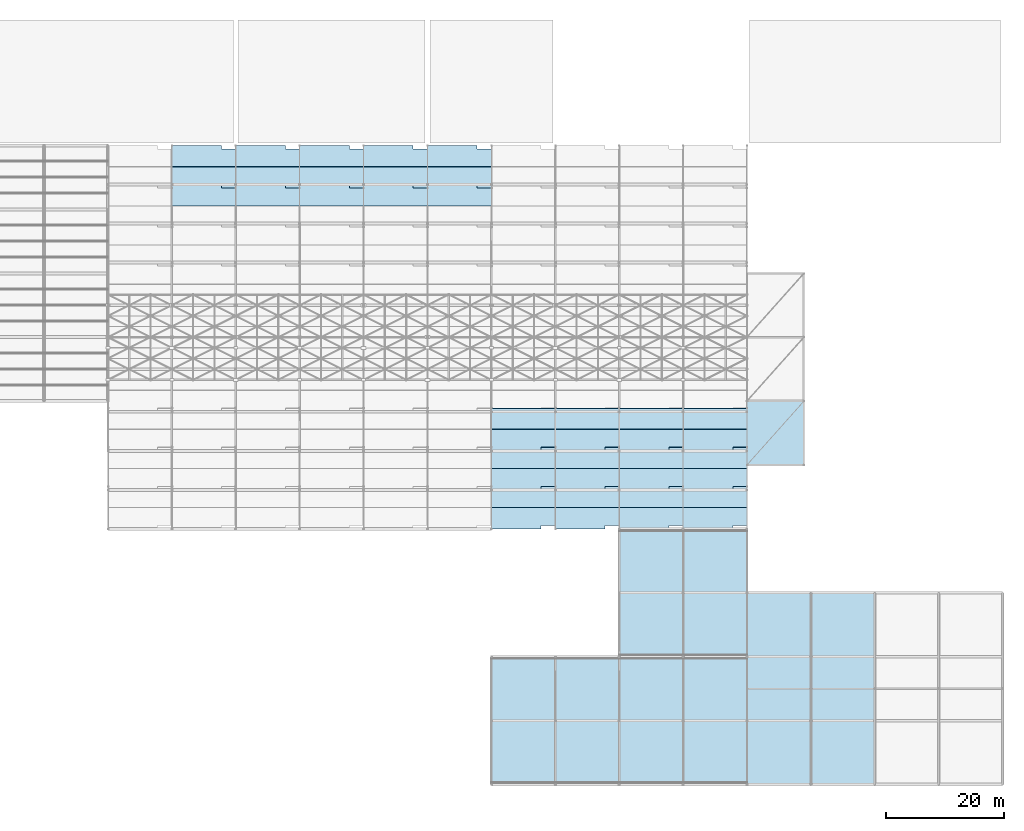
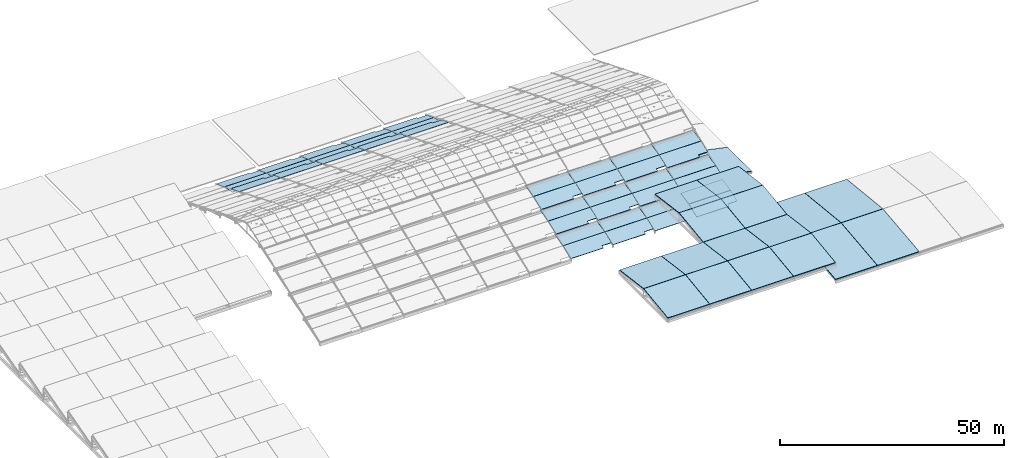
# One storey, part 101 of 112: 56 slabs, 5 elements without a shape of their own.
"""IFC4 building model written with IfcOpenShell, lengths in metres."""

from ifc_helpers import new_model, si_unit, direction, frame, origin, place, context, subcontext, project, spatial, polyline, outline, extrude, material, layer, layer_set, type_object, element, aggregate, save


model = new_model("IFC4")

# Units and contexts
model_context = context("Model", 3, precision=1e-05, world=origin(), true_north=direction((0.0, 1.0)))
body_context = subcontext(model_context, "Body", "Model", "MODEL_VIEW")
ifc_project = project(units=[si_unit("LENGTHUNIT", "METRE"), si_unit("AREAUNIT", "SQUARE_METRE"), si_unit("VOLUMEUNIT", "CUBIC_METRE"), si_unit("PLANEANGLEUNIT", "RADIAN"), si_unit("MASSUNIT", "GRAM", prefix="KILO")], contexts=[model_context])

# Site, building, storey
site_placement = place(None, origin())
site = spatial("IfcSite", under=ifc_project, at=site_placement, CompositionType="ELEMENT")
building_placement = place(site_placement, origin())
building = spatial("IfcBuilding", under=site, at=building_placement, Name="Zwinboog Wholesale Market", CompositionType="ELEMENT")
storey_placement = place(building_placement, frame((0.0, 0.0, 19.080078125)))
storey = spatial("IfcBuildingStorey", under=building, at=storey_placement, Name="Roof", CompositionType="ELEMENT", Elevation=19.080078125)

# Roof, slabs
ifc_material_1 = material(Name="Concrete C50/60", Category="concrete")
roof_type = type_object("IfcRoofType", Name="RFT-SHELL-BARREL", PredefinedType="BARREL_ROOF", material=ifc_material_1)
roof_1_placement = place(storey_placement, origin())
roof_1 = element("IfcRoof", 1, at=roof_1_placement, inside=storey, type_object=roof_type, Name="RF-SH (ROOF-BARREL-02)", PredefinedType="BARREL_ROOF")
ifc_layer_1 = layer(ifc_material_1, 0.159912109375)
ifc_layer_set_1 = layer_set([ifc_layer_1], Name="Concrete C50/60")
slab_type_1 = type_object("IfcSlabType", Name="SLT-SH-160", PredefinedType="ROOF", material=ifc_layer_set_1)
slab_1_placement = place(storey_placement, frame((75.610107421875, 104.409912109375, -8.135009765625), z_axis=(4.69326e-06, 0.351688567707, 0.936117060694), x_axis=(0.999999999989, -1.650566e-06, -4.393441e-06)))
slab_1 = element("IfcSlab", 2, at=slab_1_placement, type_object=slab_type_1, Name="SH-160 (SLB-SH-NT1-B02-1)", PredefinedType="ROOF", context=body_context, shape_type="SweptSolid", body=[
    extrude(outline(polyline([(0.0, 0.0), (10.779785156131279, 0.0), (10.77978515650044, 3.183371243768934), (8.37988281277687, 3.183371243768934), (8.379882812301986, 3.824383031661528), (-1.0572380666834866e-10, 3.824383031661528), (0.0, 0.0)])), origin(), (0.0, 0.0, -1.0), 0.159912109375),
])
slab_2_placement = place(storey_placement, frame((75.610107421875, 100.81005859375, -7.330078125), z_axis=(0.0, 0.219374447053, 0.975640739197), x_axis=(1.0, 0.0, 0.0)))
slab_2 = element("IfcSlab", 3, at=slab_2_placement, type_object=slab_type_1, Name="SH-160 (SLB-SH-NT1-B02-2)", PredefinedType="ROOF", context=body_context, shape_type="SweptSolid", body=[
    extrude(outline(polyline([(0.0, 0.0), (10.77978515625, 0.0), (10.77978515625, 3.6692133082944967), (0.0, 3.6692133082944967), (0.0, 0.0)])), origin(), (0.0, 0.0, -1.0), 0.159912109375),
])

roof_2_placement = place(storey_placement, origin())
roof_2 = element("IfcRoof", 4, at=roof_2_placement, inside=storey, type_object=roof_type, Name="RF-SH (ROOF-BARREL-03)", PredefinedType="BARREL_ROOF")
slab_3_placement = place(storey_placement, frame((86.409912109375, 104.409912109375, -8.135009765625), z_axis=(4.69315e-06, 0.351688567577, 0.936117060743), x_axis=(0.999999999989, -1.650527e-06, -4.393337e-06)))
slab_3 = element("IfcSlab", 5, at=slab_3_placement, type_object=slab_type_1, Name="SH-160 (SLB-SH-NT1-B03-1)", PredefinedType="ROOF", context=body_context, shape_type="SweptSolid", body=[
    extrude(outline(polyline([(0.0, 0.0), (10.78002929675628, 2.2827599967049336e-21), (10.780029297125436, 3.183371243768923), (8.380126953401867, 3.183371243768923), (8.380126952926993, 3.824383031661531), (-1.0571883235301646e-10, 3.824383031661531), (0.0, 0.0)])), origin(), (0.0, 0.0, -1.0), 0.159912109375),
])
slab_4_placement = place(storey_placement, frame((86.409912109375, 100.81005859375, -7.330078125), z_axis=(0.0, 0.219374447053, 0.975640739197), x_axis=(1.0, 0.0, 0.0)))
slab_4 = element("IfcSlab", 6, at=slab_4_placement, type_object=slab_type_1, Name="SH-160 (SLB-SH-NT1-B03-2)", PredefinedType="ROOF", context=body_context, shape_type="SweptSolid", body=[
    extrude(outline(polyline([(0.0, 0.0), (10.780029296875, 0.0), (10.780029296875, 3.6692133082944967), (0.0, 3.6692133082944967), (0.0, 0.0)])), origin(), (0.0, 0.0, -1.0), 0.159912109375),
])

roof_3_placement = place(storey_placement, origin())
roof_3 = element("IfcRoof", 7, at=roof_3_placement, inside=storey, type_object=roof_type, Name="RF-SH (ROOF-BARREL-04)", PredefinedType="BARREL_ROOF")
slab_5_placement = place(storey_placement, frame((97.2099609375, 104.409912109375, -8.135009765625), z_axis=(4.69315e-06, 0.351688567577, 0.936117060743), x_axis=(0.999999999989, -1.650527e-06, -4.393337e-06)))
slab_5 = element("IfcSlab", 8, at=slab_5_placement, type_object=slab_type_1, Name="SH-160 (SLB-SH-NT1-B04-1)", PredefinedType="ROOF", context=body_context, shape_type="SweptSolid", body=[
    extrude(outline(polyline([(0.0, 0.0), (10.78002929675628, 2.2827599967049336e-21), (10.780029297125436, 3.183371243768923), (8.380126953401867, 3.183371243768923), (8.380126952926993, 3.824383031661531), (-1.0571883235301646e-10, 3.824383031661531), (0.0, 0.0)])), origin(), (0.0, 0.0, -1.0), 0.159912109375),
])
slab_6_placement = place(storey_placement, frame((97.2099609375, 100.81005859375, -7.330078125), z_axis=(0.0, 0.219374447053, 0.975640739197), x_axis=(1.0, 0.0, 0.0)))
slab_6 = element("IfcSlab", 9, at=slab_6_placement, type_object=slab_type_1, Name="SH-160 (SLB-SH-NT1-B04-2)", PredefinedType="ROOF", context=body_context, shape_type="SweptSolid", body=[
    extrude(outline(polyline([(0.0, 0.0), (10.780029296875, 0.0), (10.780029296875, 3.6692133082944967), (0.0, 3.6692133082944967), (0.0, 0.0)])), origin(), (0.0, 0.0, -1.0), 0.159912109375),
])

roof_4_placement = place(storey_placement, origin())
roof_4 = element("IfcRoof", 10, at=roof_4_placement, inside=storey, type_object=roof_type, Name="RF-SH (ROOF-BARREL-05)", PredefinedType="BARREL_ROOF")
slab_7_placement = place(storey_placement, frame((108.010009765625, 104.409912109375, -8.135009765625), z_axis=(4.693168e-06, 0.35168856816, 0.936117060524), x_axis=(0.999999999989, -1.650534e-06, -4.393355e-06)))
slab_7 = element("IfcSlab", 11, at=slab_7_placement, type_object=slab_type_1, Name="SH-160 (SLB-SH-NT1-B05-1)", PredefinedType="ROOF", context=body_context, shape_type="SweptSolid", body=[
    extrude(outline(polyline([(0.0, 0.0), (10.78002929675628, 2.2827599967049336e-21), (10.780029297125427, 3.1833712437689723), (8.37988281277686, 3.1833712437689723), (8.379882812301984, 3.8243830316615175), (-1.0573042088097136e-10, 3.8243830316615175), (0.0, 0.0)])), origin(), (0.0, 0.0, -1.0), 0.159912109375),
])
slab_8_placement = place(storey_placement, frame((108.010009765625, 100.81005859375, -7.330078125), z_axis=(0.0, 0.219374447053, 0.975640739197), x_axis=(1.0, 0.0, 0.0)))
slab_8 = element("IfcSlab", 12, at=slab_8_placement, type_object=slab_type_1, Name="SH-160 (SLB-SH-NT1-B05-2)", PredefinedType="ROOF", context=body_context, shape_type="SweptSolid", body=[
    extrude(outline(polyline([(0.0, 0.0), (10.780029296875, 0.0), (10.780029296875, 3.6692133082944967), (0.0, 3.6692133082944967), (0.0, 0.0)])), origin(), (0.0, 0.0, -1.0), 0.159912109375),
])

roof_5_placement = place(storey_placement, origin())
roof_5 = element("IfcRoof", 13, at=roof_5_placement, inside=storey, type_object=roof_type, Name="RF-SH (ROOF-BARREL-01)", PredefinedType="BARREL_ROOF")
slab_9_placement = place(storey_placement, frame((118.81005859375, 104.409912109375, -8.135009765625), z_axis=(4.693168e-06, 0.35168856816, 0.936117060524), x_axis=(0.999999999989, -1.650534e-06, -4.393355e-06)))
slab_9 = element("IfcSlab", 14, at=slab_9_placement, type_object=slab_type_1, Name="SH-160 (SLB-SH-NT1-B06-1)", PredefinedType="ROOF", context=body_context, shape_type="SweptSolid", body=[
    extrude(outline(polyline([(0.0, 0.0), (10.78002929675628, 2.2827599967049336e-21), (10.780029297125427, 3.1833712437689723), (8.37988281277686, 3.1833712437689723), (8.379882812301984, 3.8243830316615175), (-1.0573042088097136e-10, 3.8243830316615175), (0.0, 0.0)])), origin(), (0.0, 0.0, -1.0), 0.159912109375),
])
slab_10_placement = place(storey_placement, frame((118.81005859375, 100.81005859375, -7.330078125), z_axis=(0.0, 0.219374447053, 0.975640739197), x_axis=(1.0, 0.0, 0.0)))
slab_10 = element("IfcSlab", 15, at=slab_10_placement, type_object=slab_type_1, Name="SH-160 (SLB-SH-NT1-B06-2)", PredefinedType="ROOF", context=body_context, shape_type="SweptSolid", body=[
    extrude(outline(polyline([(0.0, 0.0), (10.780029296875, 0.0), (10.780029296875, 3.6692133082944967), (0.0, 3.6692133082944967), (0.0, 0.0)])), origin(), (0.0, 0.0, -1.0), 0.159912109375),
])

# Slab
slab_11_placement = place(storey_placement, frame((129.610107421875, 43.2099609375, -9.47998046875), z_axis=(4.69326e-06, -0.351688567707, 0.936117060694), x_axis=(0.999999999989, 1.650566e-06, -4.393441e-06)))
slab_11 = element("IfcSlab", 16, at=slab_11_placement, type_object=slab_type_1, Name="SH-160 (SLB-SH-ST1-B07-1)", PredefinedType="ROOF", context=body_context, shape_type="SweptSolid", body=[
    extrude(outline(polyline([(0.0, 0.0), (8.37988281240771, 0.0), (8.379882812882595, 0.6410117878925938), (10.779785156606165, 0.6410117878925938), (10.779785156237002, 3.824383031661528), (1.0572380666834866e-10, 3.824383031661528), (0.0, 0.0)])), origin(), (0.0, 0.0, -1.0), 0.159912109375),
])

slab_12_placement = place(storey_placement, frame((129.610107421875, 46.81005859375, -8.135009765625), z_axis=(0.0, -0.219374447053, 0.975640739197), x_axis=(1.0, 0.0, 0.0)))
slab_12 = element("IfcSlab", 17, at=slab_12_placement, type_object=slab_type_1, Name="SH-160 (SLB-SH-ST1-B07-2)", PredefinedType="ROOF", context=body_context, shape_type="SweptSolid", body=[
    extrude(outline(polyline([(0.0, 0.0), (10.77978515625, 0.0), (10.77978515625, 3.6692133082944967), (0.0, 3.6692133082944967), (0.0, 0.0)])), origin(), (0.0, 0.0, -1.0), 0.159912109375),
])

slab_13_placement = place(storey_placement, frame((140.409912109375, 43.2099609375, -9.47998046875), z_axis=(4.69315e-06, -0.351688567577, 0.936117060743), x_axis=(0.999999999989, 1.650527e-06, -4.393337e-06)))
slab_13 = element("IfcSlab", 18, at=slab_13_placement, type_object=slab_type_1, Name="SH-160 (SLB-SH-ST1-B08-1)", PredefinedType="ROOF", context=body_context, shape_type="SweptSolid", body=[
    extrude(outline(polyline([(0.0, 0.0), (8.380126953032711, -1.774560907867667e-21), (8.380126953507585, 0.6410117878926078), (10.780029297231154, 0.6410117878926078), (10.780029296861999, 3.824383031661531), (1.0571883235301646e-10, 3.824383031661531), (0.0, 0.0)])), origin(), (0.0, 0.0, -1.0), 0.159912109375),
])

slab_14_placement = place(storey_placement, frame((140.409912109375, 46.81005859375, -8.135009765625), z_axis=(0.0, -0.219374447053, 0.975640739197), x_axis=(1.0, 0.0, 0.0)))
slab_14 = element("IfcSlab", 19, at=slab_14_placement, type_object=slab_type_1, Name="SH-160 (SLB-SH-ST1-B08-2)", PredefinedType="ROOF", context=body_context, shape_type="SweptSolid", body=[
    extrude(outline(polyline([(0.0, 0.0), (10.780029296875, 0.0), (10.780029296875, 3.6692133082944967), (0.0, 3.6692133082944967), (0.0, 0.0)])), origin(), (0.0, 0.0, -1.0), 0.159912109375),
])

slab_15_placement = place(storey_placement, frame((151.2099609375, 43.2099609375, -9.47998046875), z_axis=(4.69315e-06, -0.351688567577, 0.936117060743), x_axis=(0.999999999989, 1.650527e-06, -4.393337e-06)))
slab_15 = element("IfcSlab", 20, at=slab_15_placement, type_object=slab_type_1, Name="SH-160 (SLB-SH-ST1-B09-1)", PredefinedType="ROOF", context=body_context, shape_type="SweptSolid", body=[
    extrude(outline(polyline([(0.0, 0.0), (8.380126953032711, -1.774560907867667e-21), (8.380126953507585, 0.6410117878926078), (10.780029297231154, 0.6410117878926078), (10.780029296861999, 3.824383031661531), (1.0571883235301646e-10, 3.824383031661531), (0.0, 0.0)])), origin(), (0.0, 0.0, -1.0), 0.159912109375),
])

slab_16_placement = place(storey_placement, frame((151.2099609375, 46.81005859375, -8.135009765625), z_axis=(0.0, -0.219374447053, 0.975640739197), x_axis=(1.0, 0.0, 0.0)))
slab_16 = element("IfcSlab", 21, at=slab_16_placement, type_object=slab_type_1, Name="SH-160 (SLB-SH-ST1-B09-2)", PredefinedType="ROOF", context=body_context, shape_type="SweptSolid", body=[
    extrude(outline(polyline([(0.0, 0.0), (10.780029296875, 0.0), (10.780029296875, 3.6692133082944967), (0.0, 3.6692133082944967), (0.0, 0.0)])), origin(), (0.0, 0.0, -1.0), 0.159912109375),
])

slab_17_placement = place(storey_placement, frame((162.010009765625, 43.2099609375, -9.47998046875), z_axis=(4.693168e-06, -0.35168856816, 0.936117060524), x_axis=(0.999999999989, 1.650534e-06, -4.393355e-06)))
slab_17 = element("IfcSlab", 22, at=slab_17_placement, type_object=slab_type_1, Name="SH-160 (SLB-SH-ST1-B10-1)", PredefinedType="ROOF", context=body_context, shape_type="SweptSolid", body=[
    extrude(outline(polyline([(0.0, 0.0), (8.379882812407713, -1.7745092090793826e-21), (8.379882812882592, 0.641011787892545), (10.78002929723116, 0.641011787892545), (10.78002929686201, 3.8243830316615175), (1.0573042088097136e-10, 3.8243830316615175), (0.0, 0.0)])), origin(), (0.0, 0.0, -1.0), 0.159912109375),
])

slab_18_placement = place(storey_placement, frame((162.010009765625, 46.81005859375, -8.135009765625), z_axis=(0.0, -0.219374447053, 0.975640739197), x_axis=(1.0, 0.0, 0.0)))
slab_18 = element("IfcSlab", 23, at=slab_18_placement, type_object=slab_type_1, Name="SH-160 (SLB-SH-ST1-B10-2)", PredefinedType="ROOF", context=body_context, shape_type="SweptSolid", body=[
    extrude(outline(polyline([(0.0, 0.0), (10.780029296875, 0.0), (10.780029296875, 3.6692133082944967), (0.0, 3.6692133082944967), (0.0, 0.0)])), origin(), (0.0, 0.0, -1.0), 0.159912109375),
])

ifc_layer_2 = layer(ifc_material_1, 0.172119140625)
ifc_layer_set_2 = layer_set([ifc_layer_2], Name="Concrete C50/60")
slab_type_2 = type_object("IfcSlabType", Name="SLT-SH-172", PredefinedType="ROOF", material=ifc_layer_set_2)
slab_19_placement = place(storey_placement, frame((75.610107421875, 97.81005859375, -5.43505859375), z_axis=(1.249594e-06, 0.351705539607, 0.936110684379), x_axis=(0.999999999999, -4.39489e-07, -1.169758e-06)))
slab_19 = element("IfcSlab", 24, at=slab_19_placement, type_object=slab_type_2, Name="SH-172 (SLB-SH-NT2-B02-1)", PredefinedType="ROOF", context=body_context, shape_type="SweptSolid", body=[
    extrude(outline(polyline([(0.0, 0.0), (10.779785156241584, 0.0), (10.779785156267753, 3.1833712446718234), (8.379882812519627, 3.1833712446718234), (8.379882812485963, 3.824154487977018), (-7.494821892877005e-12, 3.824154487977018), (0.0, 0.0)])), origin(), (0.0, 0.0, -1.0), 0.172119140625),
])

slab_20_placement = place(storey_placement, frame((86.409912109375, 97.81005859375, -5.43505859375), z_axis=(1.249564e-06, 0.351705539572, 0.936110684392), x_axis=(0.999999999999, -4.39479e-07, -1.169731e-06)))
slab_20 = element("IfcSlab", 25, at=slab_20_placement, type_object=slab_type_2, Name="SH-172 (SLB-SH-NT2-B03-1)", PredefinedType="ROOF", context=body_context, shape_type="SweptSolid", body=[
    extrude(outline(polyline([(0.0, 0.0), (10.780029296866584, -5.706899991762334e-22), (10.780029296892753, 3.183371244671823), (8.380126953144627, 3.183371244671823), (8.380126953110963, 3.824154487977019), (-7.494469264378976e-12, 3.824154487977019), (0.0, 0.0)])), origin(), (0.0, 0.0, -1.0), 0.172119140625),
])

slab_21_placement = place(storey_placement, frame((97.2099609375, 97.81005859375, -5.43505859375), z_axis=(1.249564e-06, 0.351705539572, 0.936110684392), x_axis=(0.999999999999, -4.39479e-07, -1.169731e-06)))
slab_21 = element("IfcSlab", 26, at=slab_21_placement, type_object=slab_type_2, Name="SH-172 (SLB-SH-NT2-B04-1)", PredefinedType="ROOF", context=body_context, shape_type="SweptSolid", body=[
    extrude(outline(polyline([(0.0, 0.0), (10.780029296866584, -5.706899991762334e-22), (10.780029296892753, 3.183371244671823), (8.380126953144627, 3.183371244671823), (8.380126953110963, 3.824154487977019), (-7.494469264378976e-12, 3.824154487977019), (0.0, 0.0)])), origin(), (0.0, 0.0, -1.0), 0.172119140625),
])

slab_22_placement = place(storey_placement, frame((108.010009765625, 97.81005859375, -5.43505859375), z_axis=(1.249569e-06, 0.351705539728, 0.936110684334), x_axis=(0.999999999999, -4.3948e-07, -1.169735e-06)))
slab_22 = element("IfcSlab", 27, at=slab_22_placement, type_object=slab_type_2, Name="SH-172 (SLB-SH-NT2-B05-1)", PredefinedType="ROOF", context=body_context, shape_type="SweptSolid", body=[
    extrude(outline(polyline([(0.0, 0.0), (10.780029296866584, 0.0), (10.780029296892753, 3.183371244671827), (8.379882812519627, 3.183371244671827), (8.379882812485961, 3.824154487977018), (-7.495290763518035e-12, 3.824154487977018), (0.0, 0.0)])), origin(), (0.0, 0.0, -1.0), 0.172119140625),
])

slab_23_placement = place(storey_placement, frame((118.81005859375, 97.81005859375, -5.43505859375), z_axis=(1.249569e-06, 0.351705539728, 0.936110684334), x_axis=(0.999999999999, -4.3948e-07, -1.169735e-06)))
slab_23 = element("IfcSlab", 28, at=slab_23_placement, type_object=slab_type_2, Name="SH-172 (SLB-SH-NT2-B06-1)", PredefinedType="ROOF", context=body_context, shape_type="SweptSolid", body=[
    extrude(outline(polyline([(0.0, 0.0), (10.780029296866584, 0.0), (10.780029296892753, 3.183371244671827), (8.379882812519627, 3.183371244671827), (8.379882812485961, 3.824154487977018), (-7.495290763518035e-12, 3.824154487977018), (0.0, 0.0)])), origin(), (0.0, 0.0, -1.0), 0.172119140625),
])

aggregate(roof_5, [slab_9, slab_10, slab_23])

slab_24_placement = place(storey_placement, frame((129.610107421875, 49.81005859375, -6.780029296875), z_axis=(1.249594e-06, -0.351705539607, 0.936110684379), x_axis=(0.999999999999, 4.39489e-07, -1.169758e-06)))
slab_24 = element("IfcSlab", 29, at=slab_24_placement, type_object=slab_type_2, Name="SH-172 (SLB-SH-ST2-B07-1)", PredefinedType="ROOF", context=body_context, shape_type="SweptSolid", body=[
    extrude(outline(polyline([(0.0, 0.0), (8.379882812493458, 0.0), (8.379882812527123, 0.6407832433051945), (10.77978515627525, 0.6407832433051945), (10.779785156249078, 3.824154487977018), (7.494821892877005e-12, 3.824154487977018), (0.0, 0.0)])), origin(), (0.0, 0.0, -1.0), 0.172119140625),
])

slab_25_placement = place(storey_placement, frame((129.610107421875, 53.409912109375, -5.43505859375), z_axis=(0.0, -0.219360206869, 0.975643941017), x_axis=(1.0, 0.0, 0.0)))
slab_25 = element("IfcSlab", 30, at=slab_25_placement, type_object=slab_type_2, Name="SH-172 (SLB-SH-ST2-B07-2)", PredefinedType="ROOF", context=body_context, shape_type="SweptSolid", body=[
    extrude(outline(polyline([(0.0, 0.0), (10.77978515625, 0.0), (10.77978515625, 3.669451502225199), (0.0, 3.669451502225199), (0.0, 0.0)])), origin(), (0.0, 0.0, -1.0), 0.172119140625),
])

slab_26_placement = place(storey_placement, frame((140.409912109375, 49.81005859375, -6.780029296875), z_axis=(1.249564e-06, -0.351705539572, 0.936110684392), x_axis=(0.999999999999, 4.39479e-07, -1.169731e-06)))
slab_26 = element("IfcSlab", 31, at=slab_26_placement, type_object=slab_type_2, Name="SH-172 (SLB-SH-ST2-B08-1)", PredefinedType="ROOF", context=body_context, shape_type="SweptSolid", body=[
    extrude(outline(polyline([(0.0, 0.0), (8.380126953118458, 4.436402269669168e-22), (8.380126953152123, 0.6407832433051956), (10.78002929690025, 0.6407832433051956), (10.780029296874078, 3.824154487977019), (7.494469264378976e-12, 3.824154487977019), (0.0, 0.0)])), origin(), (0.0, 0.0, -1.0), 0.172119140625),
])

slab_27_placement = place(storey_placement, frame((140.409912109375, 53.409912109375, -5.43505859375), z_axis=(0.0, -0.219360206869, 0.975643941017), x_axis=(1.0, 0.0, 0.0)))
slab_27 = element("IfcSlab", 32, at=slab_27_placement, type_object=slab_type_2, Name="SH-172 (SLB-SH-ST2-B08-2)", PredefinedType="ROOF", context=body_context, shape_type="SweptSolid", body=[
    extrude(outline(polyline([(0.0, 0.0), (10.780029296875, 0.0), (10.780029296875, 3.669451502225199), (0.0, 3.669451502225199), (0.0, 0.0)])), origin(), (0.0, 0.0, -1.0), 0.172119140625),
])

slab_28_placement = place(storey_placement, frame((151.2099609375, 49.81005859375, -6.780029296875), z_axis=(1.249564e-06, -0.351705539572, 0.936110684392), x_axis=(0.999999999999, 4.39479e-07, -1.169731e-06)))
slab_28 = element("IfcSlab", 33, at=slab_28_placement, type_object=slab_type_2, Name="SH-172 (SLB-SH-ST2-B09-1)", PredefinedType="ROOF", context=body_context, shape_type="SweptSolid", body=[
    extrude(outline(polyline([(0.0, 0.0), (8.380126953118458, 4.436402269669168e-22), (8.380126953152123, 0.6407832433051956), (10.78002929690025, 0.6407832433051956), (10.780029296874078, 3.824154487977019), (7.494469264378976e-12, 3.824154487977019), (0.0, 0.0)])), origin(), (0.0, 0.0, -1.0), 0.172119140625),
])

slab_29_placement = place(storey_placement, frame((151.2099609375, 53.409912109375, -5.43505859375), z_axis=(0.0, -0.219360206869, 0.975643941017), x_axis=(1.0, 0.0, 0.0)))
slab_29 = element("IfcSlab", 34, at=slab_29_placement, type_object=slab_type_2, Name="SH-172 (SLB-SH-ST2-B09-2)", PredefinedType="ROOF", context=body_context, shape_type="SweptSolid", body=[
    extrude(outline(polyline([(0.0, 0.0), (10.780029296875, 0.0), (10.780029296875, 3.669451502225199), (0.0, 3.669451502225199), (0.0, 0.0)])), origin(), (0.0, 0.0, -1.0), 0.172119140625),
])

slab_30_placement = place(storey_placement, frame((162.010009765625, 49.81005859375, -6.780029296875), z_axis=(1.249569e-06, -0.351705539728, 0.936110684334), x_axis=(0.999999999999, 4.3948e-07, -1.169735e-06)))
slab_30 = element("IfcSlab", 35, at=slab_30_placement, type_object=slab_type_2, Name="SH-172 (SLB-SH-ST2-B10-1)", PredefinedType="ROOF", context=body_context, shape_type="SweptSolid", body=[
    extrude(outline(polyline([(0.0, 0.0), (8.379882812493458, 0.0), (8.379882812527123, 0.6407832433051913), (10.78002929690025, 0.6407832433051913), (10.78002929687408, 3.824154487977018), (7.495290763518035e-12, 3.824154487977018), (0.0, 0.0)])), origin(), (0.0, 0.0, -1.0), 0.172119140625),
])

slab_31_placement = place(storey_placement, frame((162.010009765625, 53.409912109375, -5.43505859375), z_axis=(0.0, -0.219360206869, 0.975643941017), x_axis=(1.0, 0.0, 0.0)))
slab_31 = element("IfcSlab", 36, at=slab_31_placement, type_object=slab_type_2, Name="SH-172 (SLB-SH-ST2-B10-2)", PredefinedType="ROOF", context=body_context, shape_type="SweptSolid", body=[
    extrude(outline(polyline([(0.0, 0.0), (10.780029296875, 0.0), (10.780029296875, 3.669451502225199), (0.0, 3.669451502225199), (0.0, 0.0)])), origin(), (0.0, 0.0, -1.0), 0.172119140625),
])

slab_32_placement = place(storey_placement, frame((172.800048828125, 54.02001953125, -8.68017578125), z_axis=(0.203957236795, 0.0, 0.978979798341), x_axis=(0.978979798341, 0.0, -0.203957236795)))
element("IfcSlab", 37, at=slab_32_placement, inside=storey, type_object=slab_type_2, Name="SH-172 (SLB-CAN-01)", PredefinedType="ROOF", context=body_context, shape_type="SweptSolid", body=[
    extrude(outline(polyline([(0.0, 0.0), (9.8059771324156, 0.0), (9.8059771324156, 10.760009765625), (0.0, 10.760009765625), (0.0, 0.0)])), origin(), (0.0, 0.0, -1.0), 0.179931640625),
])

ifc_layer_3 = layer(ifc_material_1, 0.18603515625)
ifc_layer_set_3 = layer_set([ifc_layer_3], Name="Concrete C50/60")
slab_type_3 = type_object("IfcSlabType", Name="SLT-SH-186", PredefinedType="ROOF", material=ifc_layer_set_3)
slab_33_placement = place(storey_placement, frame((129.610107421875, 56.409912109375, -4.080078125), z_axis=(4.69326e-06, -0.351688567707, 0.936117060694), x_axis=(0.999999999989, 1.650566e-06, -4.393441e-06)))
slab_33 = element("IfcSlab", 38, at=slab_33_placement, type_object=slab_type_3, Name="SH-186 (SLB-SH-ST3-B07-1)", PredefinedType="ROOF", context=body_context, shape_type="SweptSolid", body=[
    extrude(outline(polyline([(0.0, 0.0), (8.37988281240771, 0.0), (8.379882812882595, 0.6410117878925938), (10.779785156606165, 0.6410117878925938), (10.779785156237002, 3.824383031661528), (1.0572380666834866e-10, 3.824383031661528), (0.0, 0.0)])), origin(), (0.0, 0.0, -1.0), 0.18603515625),
])

slab_34_placement = place(storey_placement, frame((129.610107421875, 60.010009765625, -2.735107421875), z_axis=(0.0, -0.219360206869, 0.975643941017), x_axis=(1.0, 0.0, 0.0)))
slab_34 = element("IfcSlab", 39, at=slab_34_placement, type_object=slab_type_3, Name="SH-186 (SLB-SH-ST3-B07-2)", PredefinedType="ROOF", context=body_context, shape_type="SweptSolid", body=[
    extrude(outline(polyline([(0.0, 0.0), (10.77978515625, 0.0), (10.77978515625, 3.669451502225199), (0.0, 3.669451502225199), (0.0, 0.0)])), origin(), (0.0, 0.0, -1.0), 0.18603515625),
])

aggregate(roof_1, [slab_1, slab_2, slab_19, slab_11, slab_12, slab_24, slab_25, slab_33, slab_34])

slab_35_placement = place(storey_placement, frame((140.409912109375, 56.409912109375, -4.080078125), z_axis=(4.69315e-06, -0.351688567577, 0.936117060743), x_axis=(0.999999999989, 1.650527e-06, -4.393337e-06)))
slab_35 = element("IfcSlab", 40, at=slab_35_placement, type_object=slab_type_3, Name="SH-186 (SLB-SH-ST3-B08-1)", PredefinedType="ROOF", context=body_context, shape_type="SweptSolid", body=[
    extrude(outline(polyline([(0.0, 0.0), (8.380126953032711, -1.774560907867667e-21), (8.380126953507585, 0.6410117878926078), (10.780029297231154, 0.6410117878926078), (10.780029296861999, 3.824383031661531), (1.0571883235301646e-10, 3.824383031661531), (0.0, 0.0)])), origin(), (0.0, 0.0, -1.0), 0.18603515625),
])

slab_36_placement = place(storey_placement, frame((140.409912109375, 60.010009765625, -2.735107421875), z_axis=(0.0, -0.219360206869, 0.975643941017), x_axis=(1.0, 0.0, 0.0)))
slab_36 = element("IfcSlab", 41, at=slab_36_placement, type_object=slab_type_3, Name="SH-186 (SLB-SH-ST3-B08-2)", PredefinedType="ROOF", context=body_context, shape_type="SweptSolid", body=[
    extrude(outline(polyline([(0.0, 0.0), (10.780029296875, 0.0), (10.780029296875, 3.669451502225199), (0.0, 3.669451502225199), (0.0, 0.0)])), origin(), (0.0, 0.0, -1.0), 0.18603515625),
])

aggregate(roof_2, [slab_3, slab_4, slab_20, slab_13, slab_14, slab_26, slab_27, slab_35, slab_36])

slab_37_placement = place(storey_placement, frame((151.2099609375, 56.409912109375, -4.080078125), z_axis=(4.69315e-06, -0.351688567577, 0.936117060743), x_axis=(0.999999999989, 1.650527e-06, -4.393337e-06)))
slab_37 = element("IfcSlab", 42, at=slab_37_placement, type_object=slab_type_3, Name="SH-186 (SLB-SH-ST3-B09-1)", PredefinedType="ROOF", context=body_context, shape_type="SweptSolid", body=[
    extrude(outline(polyline([(0.0, 0.0), (8.380126953032711, -1.774560907867667e-21), (8.380126953507585, 0.6410117878926078), (10.780029297231154, 0.6410117878926078), (10.780029296861999, 3.824383031661531), (1.0571883235301646e-10, 3.824383031661531), (0.0, 0.0)])), origin(), (0.0, 0.0, -1.0), 0.18603515625),
])

slab_38_placement = place(storey_placement, frame((151.2099609375, 60.010009765625, -2.735107421875), z_axis=(0.0, -0.219360206869, 0.975643941017), x_axis=(1.0, 0.0, 0.0)))
slab_38 = element("IfcSlab", 43, at=slab_38_placement, type_object=slab_type_3, Name="SH-186 (SLB-SH-ST3-B09-2)", PredefinedType="ROOF", context=body_context, shape_type="SweptSolid", body=[
    extrude(outline(polyline([(0.0, 0.0), (10.780029296875, 0.0), (10.780029296875, 3.669451502225199), (0.0, 3.669451502225199), (0.0, 0.0)])), origin(), (0.0, 0.0, -1.0), 0.18603515625),
])

aggregate(roof_3, [slab_5, slab_6, slab_21, slab_15, slab_16, slab_28, slab_29, slab_37, slab_38])

slab_39_placement = place(storey_placement, frame((162.010009765625, 56.409912109375, -4.080078125), z_axis=(4.693168e-06, -0.35168856816, 0.936117060524), x_axis=(0.999999999989, 1.650534e-06, -4.393355e-06)))
slab_39 = element("IfcSlab", 44, at=slab_39_placement, type_object=slab_type_3, Name="SH-186 (SLB-SH-ST3-B10-1)", PredefinedType="ROOF", context=body_context, shape_type="SweptSolid", body=[
    extrude(outline(polyline([(0.0, 0.0), (8.379882812407713, -1.7745092090793826e-21), (8.379882812882592, 0.641011787892545), (10.78002929723116, 0.641011787892545), (10.78002929686201, 3.8243830316615175), (1.0573042088097136e-10, 3.8243830316615175), (0.0, 0.0)])), origin(), (0.0, 0.0, -1.0), 0.18603515625),
])

slab_40_placement = place(storey_placement, frame((162.010009765625, 60.010009765625, -2.735107421875), z_axis=(0.0, -0.219360206869, 0.975643941017), x_axis=(1.0, 0.0, 0.0)))
slab_40 = element("IfcSlab", 45, at=slab_40_placement, type_object=slab_type_3, Name="SH-186 (SLB-SH-ST3-B10-2)", PredefinedType="ROOF", context=body_context, shape_type="SweptSolid", body=[
    extrude(outline(polyline([(0.0, 0.0), (10.780029296875, 0.0), (10.780029296875, 3.669451502225199), (0.0, 3.669451502225199), (0.0, 0.0)])), origin(), (0.0, 0.0, -1.0), 0.18603515625),
])

aggregate(roof_4, [slab_7, slab_8, slab_22, slab_17, slab_18, slab_30, slab_31, slab_39, slab_40])

# Slabs
ifc_material_2 = material(Name="Precast concrete C45/55", Category="concrete")
ifc_layer_4 = layer(ifc_material_2, 0.22607421875)
ifc_layer_set_4 = layer_set([ifc_layer_4], Name="Precast concrete C45/55")
slab_type_4 = type_object("IfcSlabType", Name="SLT-RF-226", PredefinedType="ROOF", material=ifc_layer_set_4)
for number, where, z_axis, x_axis, name in (
    (46, (129.6201171875, 0.02001953125, 0.56982421875), (0.0, -0.13356873677, 0.99103955146), (1.0, 0.0, 0.0), "SR-226 (SLB-TRD-RF-01)"),
    (47, (129.6201171875, 10.820068359375, 2.02001953125), (0.0, 0.13356873677, 0.99103955146), (1.0, 0.0, 0.0), "SR-226 (SLB-TRD-RF-02)"),
):
    element("IfcSlab", number, at=place(storey_placement, frame(where, z_axis=z_axis, x_axis=x_axis)), inside=storey, type_object=slab_type_4, Name=name, PredefinedType="ROOF", context=body_context, shape_type="SweptSolid", body=[
        extrude(outline(polyline([(0.0, 0.0), (10.759765625, 0.0), (10.759765625, 10.857296007788603), (0.0, 10.857296007788603), (0.0, 0.0)])), origin(), (0.0, 0.0, -1.0), 0.22607421875),
    ])
for number, where, z_axis, x_axis, name in (
    (48, (140.419921875, 0.02001953125, 0.56982421875), (0.0, -0.13356873677, 0.99103955146), (1.0, 0.0, 0.0), "SR-226 (SLB-TRD-RF-03)"),
    (49, (140.419921875, 10.820068359375, 2.02001953125), (0.0, 0.13356873677, 0.99103955146), (1.0, 0.0, 0.0), "SR-226 (SLB-TRD-RF-04)"),
    (50, (151.219970703125, 0.02001953125, 0.56982421875), (0.0, -0.13356873677, 0.99103955146), (1.0, 0.0, 0.0), "SR-226 (SLB-TRD-RF-05)"),
    (51, (151.219970703125, 10.820068359375, 2.02001953125), (0.0, 0.13356873677, 0.99103955146), (1.0, 0.0, 0.0), "SR-226 (SLB-TRD-RF-06)"),
    (52, (162.02001953125, 0.02001953125, 0.56982421875), (0.0, -0.13356873677, 0.99103955146), (1.0, 0.0, 0.0), "SR-226 (SLB-TRD-RF-07)"),
    (53, (162.02001953125, 10.820068359375, 2.02001953125), (0.0, 0.13356873677, 0.99103955146), (1.0, 0.0, 0.0), "SR-226 (SLB-TRD-RF-08)"),
):
    element("IfcSlab", number, at=place(storey_placement, frame(where, z_axis=z_axis, x_axis=x_axis)), inside=storey, type_object=slab_type_4, Name=name, PredefinedType="ROOF", context=body_context, shape_type="SweptSolid", body=[
        extrude(outline(polyline([(0.0, 0.0), (10.760009765625, 0.0), (10.760009765625, 10.857296007788603), (0.0, 10.857296007788603), (0.0, 0.0)])), origin(), (0.0, 0.0, -1.0), 0.22607421875),
    ])
slab_41_placement = place(storey_placement, frame((151.219970703125, 21.6201171875, 0.56982421875), z_axis=(0.0, -0.133571713393, 0.991039150277), x_axis=(1.0, 0.0, 0.0)))
element("IfcSlab", 54, at=slab_41_placement, inside=storey, type_object=slab_type_4, Name="SR-226 (SLB-TRD-RF-09)", PredefinedType="ROOF", context=body_context, shape_type="SweptSolid", body=[
    extrude(outline(polyline([(0.0, 0.0), (10.760009765625, 0.0), (10.760009765625, 10.85705405482208), (0.0, 10.85705405482208), (0.0, 0.0)])), origin(), (0.0, 0.0, -1.0), 0.22607421875),
])
slab_42_placement = place(storey_placement, frame((151.219970703125, 32.419921875, 2.02001953125), z_axis=(0.0, 0.13356873677, 0.99103955146), x_axis=(1.0, 0.0, 0.0)))
element("IfcSlab", 55, at=slab_42_placement, inside=storey, type_object=slab_type_4, Name="SR-226 (SLB-TRD-RF-10)", PredefinedType="ROOF", context=body_context, shape_type="SweptSolid", body=[
    extrude(outline(polyline([(0.0, 0.0), (10.760009765625, 0.0), (10.760009765625, 10.857296007788603), (0.0, 10.857296007788603), (0.0, 0.0)])), origin(), (0.0, 0.0, -1.0), 0.22607421875),
])
slab_43_placement = place(storey_placement, frame((162.02001953125, 21.6201171875, 0.56982421875), z_axis=(0.0, -0.133571713393, 0.991039150277), x_axis=(1.0, 0.0, 0.0)))
element("IfcSlab", 56, at=slab_43_placement, inside=storey, type_object=slab_type_4, Name="SR-226 (SLB-TRD-RF-11)", PredefinedType="ROOF", context=body_context, shape_type="SweptSolid", body=[
    extrude(outline(polyline([(0.0, 0.0), (10.760009765625, 0.0), (10.760009765625, 10.85705405482208), (0.0, 10.85705405482208), (0.0, 0.0)])), origin(), (0.0, 0.0, -1.0), 0.22607421875),
])
slab_44_placement = place(storey_placement, frame((162.02001953125, 32.419921875, 2.02001953125), z_axis=(0.0, 0.13356873677, 0.99103955146), x_axis=(1.0, 0.0, 0.0)))
element("IfcSlab", 57, at=slab_44_placement, inside=storey, type_object=slab_type_4, Name="SR-226 (SLB-TRD-RF-12)", PredefinedType="ROOF", context=body_context, shape_type="SweptSolid", body=[
    extrude(outline(polyline([(0.0, 0.0), (10.760009765625, 0.0), (10.760009765625, 10.857296007788603), (0.0, 10.857296007788603), (0.0, 0.0)])), origin(), (0.0, 0.0, -1.0), 0.22607421875),
])
ifc_layer_5 = layer(ifc_material_2, 0.243896484375)
ifc_layer_set_5 = layer_set([ifc_layer_5], Name="Precast concrete C45/55")
slab_type_5 = type_object("IfcSlabType", Name="SLT-RF-244", PredefinedType="ROOF", material=ifc_layer_set_5)
slab_45_placement = place(storey_placement, frame((172.820068359375, 0.02001953125, -4.030029296875), z_axis=(0.0, -0.110705086611, 0.993853300945), x_axis=(1.0, 0.0, 0.0)))
element("IfcSlab", 58, at=slab_45_placement, inside=storey, type_object=slab_type_5, Name="SR-244 (SLB-AUC-RF-01)", PredefinedType="ROOF", context=body_context, shape_type="SweptSolid", body=[
    extrude(outline(polyline([(0.0, 0.0), (10.760009765625, 0.0), (10.760009765625, 16.259856554298352), (0.0, 16.259856554298352), (0.0, 0.0)])), origin(), (0.0, 0.0, -1.0), 0.243896484375),
])
slab_46_placement = place(storey_placement, frame((172.820068359375, 16.219970703125, -2.22998046875), z_axis=(0.0, 0.104633164701, 0.994510885232), x_axis=(1.0, 0.0, 0.0)))
element("IfcSlab", 59, at=slab_46_placement, inside=storey, type_object=slab_type_5, Name="SR-244 (SLB-AUC-RF-02)", PredefinedType="ROOF", context=body_context, shape_type="SweptSolid", body=[
    extrude(outline(polyline([(0.0, 0.0), (10.760009765625, 0.0), (10.760009765625, 16.249105313320232), (0.0, 16.249105313320232), (0.0, 0.0)])), origin(), (0.0, 0.0, -1.0), 0.243896484375),
])
slab_47_placement = place(storey_placement, frame((183.6201171875, 0.02001953125, -4.030029296875), z_axis=(0.0, -0.110705086611, 0.993853300945), x_axis=(1.0, 0.0, 0.0)))
element("IfcSlab", 60, at=slab_47_placement, inside=storey, type_object=slab_type_5, Name="SR-244 (SLB-AUC-RF-03)", PredefinedType="ROOF", context=body_context, shape_type="SweptSolid", body=[
    extrude(outline(polyline([(0.0, 0.0), (10.759765625, 0.0), (10.759765625, 16.25985655429835), (0.0, 16.25985655429835), (0.0, 0.0)])), origin(), (0.0, 0.0, -1.0), 0.243896484375),
])
slab_48_placement = place(storey_placement, frame((183.6201171875, 16.219970703125, -2.22998046875), z_axis=(0.0, 0.104633164701, 0.994510885232), x_axis=(1.0, 0.0, 0.0)))
element("IfcSlab", 61, at=slab_48_placement, inside=storey, type_object=slab_type_5, Name="SR-244 (SLB-AUC-RF-04)", PredefinedType="ROOF", context=body_context, shape_type="SweptSolid", body=[
    extrude(outline(polyline([(0.0, 0.0), (10.759765625, 0.0), (10.759765625, 16.249105313320232), (0.0, 16.249105313320232), (0.0, 0.0)])), origin(), (0.0, 0.0, -1.0), 0.243896484375),
])

save(model, "model.ifc")
